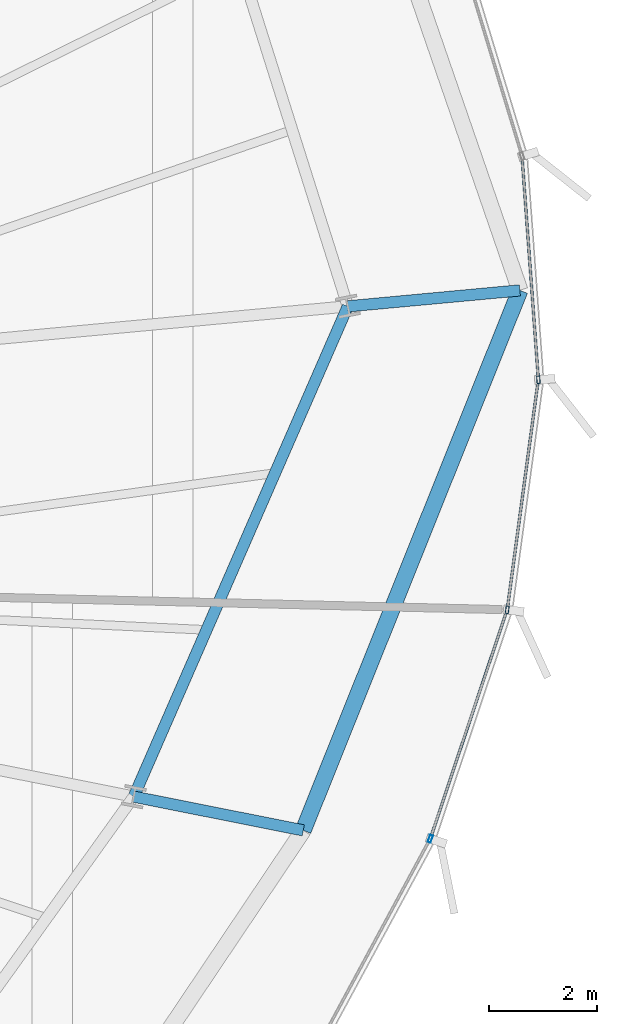
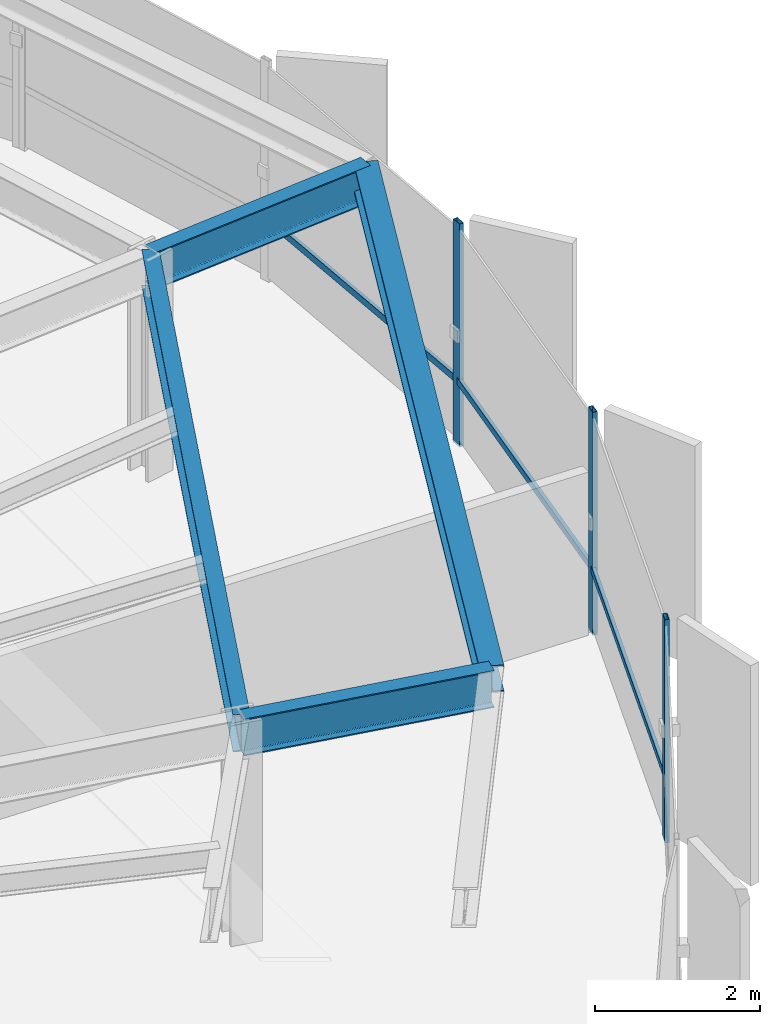
# One storey, part 15 of 34: 6 members, 4 beams, 1 element without a shape of its own.
"""IFC4 building model written with IfcOpenShell, lengths in metres."""

from ifc_helpers import new_model, si_unit, direction, frame, origin, origin_2d, place, context, subcontext, project, spatial, hollow_rectangle, i_section, extrude, source, transform, mapped, material, layer, layer_set, material_profile, profile_set, type_object, element, aggregate, save


model = new_model("IFC4")

# Units and contexts
model_context = context("Model", 3, precision=1e-05, world=origin(), true_north=direction((0.0, 1.0)))
body_context = subcontext(model_context, "Body", "Model", "MODEL_VIEW")
ifc_project = project(units=[si_unit("LENGTHUNIT", "METRE"), si_unit("AREAUNIT", "SQUARE_METRE"), si_unit("VOLUMEUNIT", "CUBIC_METRE"), si_unit("PLANEANGLEUNIT", "RADIAN"), si_unit("MASSUNIT", "GRAM", prefix="KILO"), si_unit("THERMODYNAMICTEMPERATUREUNIT", "KELVIN")], contexts=[model_context])

# Site, building, storey
site_placement = place(None, origin())
site = spatial("IfcSite", under=ifc_project, at=site_placement, CompositionType="ELEMENT")
building_placement = place(site_placement, origin())
building = spatial("IfcBuilding", under=site, at=building_placement, Name="Kethvar Cultural Tower", CompositionType="ELEMENT")
storey_placement = place(building_placement, frame((0.0, 0.0, 128.800048828125)))
storey = spatial("IfcBuildingStorey", under=building, at=storey_placement, Name="L32", CompositionType="ELEMENT", Elevation=128.800048828125)

# Beams
ifc_material_1 = material(Name="Steel S355J2", Category="steel")
ifc_material_profile_1 = material_profile(ifc_material_1, i_section(OverallWidth=0.2099609375, OverallDepth=0.550048828125, WebThickness=0.010986328125, FlangeThickness=0.01708984375, FilletRadius=0.02392578125, at=origin_2d()), Name="Steel S355J2 — IPE550")
ifc_profile_set_1 = profile_set([ifc_material_profile_1], Name="Steel S355J2 — IPE550")
beam_type_1 = type_object("IfcBeamType", Name="BM-IPE550", PredefinedType="BEAM", material=ifc_profile_set_1)
shared_shape_1 = source(origin(), body_context, "Body", "SweptSolid", [
    extrude(i_section(OverallWidth=0.2099609375, OverallDepth=0.550048828125, WebThickness=0.010986328125, FlangeThickness=0.01708984375, FilletRadius=0.02392578125, at=origin_2d()), origin(), (0.0, 0.0, 1.0), 3.199951171875),
])
for number, where, z_axis, x_axis, name in (
    (1, (71.6025390625, 32.7333984375, 3.02294921875), (0.995729641608, 0.092317283453, 0.0), (-0.092317283453, 0.995729641608, 0.0), "L32 Perimeter Cantilever Beam RC-01"),
    (2, (67.638671875, 23.65478515625, 3.02294921875), (0.980785550224, -0.195088965533, 0.0), (0.195088965533, 0.980785550224, 0.0), "L32 Perimeter Cantilever Beam RC-16"),
):
    element("IfcBeam", number, at=place(storey_placement, frame(where, z_axis=z_axis, x_axis=x_axis)), inside=storey, type_object=beam_type_1, Name=name, PredefinedType="BEAM", context=body_context, shape_type="MappedRepresentation", body=[
        mapped(shared_shape_1, transform((0.0, 0.0, 0.0), scale=1.0)),
    ])
shared_shape_2 = source(origin(), body_context, "Body", "SweptSolid", [
    extrude(i_section(OverallWidth=0.2099609375, OverallDepth=0.550048828125, WebThickness=0.010986328125, FlangeThickness=0.01708984375, FilletRadius=0.02392578125, at=origin_2d()), origin(), (0.0, 0.0, 1.0), 9.90625),
])
beam_1_placement = place(storey_placement, frame((67.638671875, 23.65478515625, 3.02294921875), z_axis=(0.400138679026, 0.916454602011, 0.0), x_axis=(-0.916454602011, 0.400138679026, 0.0)))
element("IfcBeam", 3, at=beam_1_placement, inside=storey, type_object=beam_type_1, Name="L32 Column Ring Tie Beam CR-16", PredefinedType="BEAM", context=body_context, shape_type="MappedRepresentation", body=[
    mapped(shared_shape_2, transform((0.0, 0.0, 0.0), scale=1.0)),
])
ifc_material_profile_2 = material_profile(ifc_material_1, i_section(OverallWidth=0.300048828125, OverallDepth=0.39990234375, WebThickness=0.013427734375, FlangeThickness=0.02392578125, FilletRadius=0.027099609375, at=origin_2d()), Name="Steel S355J2 — HEB400")
ifc_profile_set_2 = profile_set([ifc_material_profile_2], Name="Steel S355J2 — HEB400")
beam_type_2 = type_object("IfcBeamType", Name="BM-SP400", PredefinedType="SPANDREL", material=ifc_profile_set_2)
shared_shape_3 = source(origin(), body_context, "Body", "SweptSolid", [
    extrude(i_section(OverallWidth=0.300048828125, OverallDepth=0.39990234375, WebThickness=0.013427734375, FlangeThickness=0.02392578125, FilletRadius=0.027099609375, at=origin_2d()), origin(), (0.0, 0.0, 1.0), 10.773193359375),
])
beam_2_placement = place(storey_placement, frame((70.777099609375, 23.030517578125, 3.097900390625), z_axis=(0.372382905959, 0.928079183771, 0.0), x_axis=(-0.928079183771, 0.372382905959, 0.0)))
element("IfcBeam", 4, at=beam_2_placement, inside=storey, type_object=beam_type_2, Name="L32 Perimeter Spandrel Beam SP-16", PredefinedType="SPANDREL", context=body_context, shape_type="MappedRepresentation", body=[
    mapped(shared_shape_3, transform((0.0, 0.0, 0.0), scale=1.0)),
])

# Curtain wall, members
ifc_material_2 = material(Name="Aluminium 6063-T6", Category="aluminium")
ifc_layer = layer(ifc_material_2, 0.179931640625, Name="Aluminium 6063-T6", Category="aluminium")
ifc_layer_set = layer_set([ifc_layer], Name="Aluminium 6063-T6 (180 mm)")
curtain_wall_type = type_object("IfcCurtainWallType", Name="CW-SYS-04-Z34", PredefinedType="NOTDEFINED", material=ifc_layer_set)
curtain_wall_placement = place(storey_placement, origin())
curtain_wall = element("IfcCurtainWall", 5, at=curtain_wall_placement, inside=storey, type_object=curtain_wall_type, Name="L32 Curtain Wall Run 06", PredefinedType="NOTDEFINED")
ifc_material_profile_3 = material_profile(ifc_material_2, hollow_rectangle(XDim=0.06005859375, YDim=0.139892578125, WallThickness=0.0048828125, at=origin_2d()), Name="Aluminium 6063-T6 — RHS140x60x5")
ifc_profile_set_3 = profile_set([ifc_material_profile_3], Name="Aluminium 6063-T6 — RHS140x60x5")
member_type_1 = type_object("IfcMemberType", Name="CW-SYS-04-Z34-MUL", PredefinedType="MULLION", material=ifc_profile_set_3)
shared_shape_4 = source(origin(), body_context, "Body", "SweptSolid", [
    extrude(hollow_rectangle(XDim=0.06005859375, YDim=0.139892578125, WallThickness=0.0048828125, at=origin_2d()), origin(), (0.0, 0.0, 1.0), 3.300048828125),
])
member_1_placement = place(storey_placement, frame((73.130126953125, 22.875, 0.0), z_axis=(0.0, 0.0, 1.0), x_axis=(-0.948140743561, 0.317850798961, 0.0)))
member_1 = element("IfcMember", 6, at=member_1_placement, type_object=member_type_1, Name="CW-L32-R06 Mullion 3", PredefinedType="MULLION", context=body_context, shape_type="MappedRepresentation", body=[
    mapped(shared_shape_4, transform((0.0, 0.0, 0.0), scale=1.0)),
])
member_2_placement = place(storey_placement, frame((74.553955078125, 27.11572265625, 0.0), z_axis=(0.0, 0.0, 1.0), x_axis=(-0.991006569622, 0.133813224182, 0.0)))
member_2 = element("IfcMember", 7, at=member_2_placement, type_object=member_type_1, Name="CW-L32-R06 Mullion 4", PredefinedType="MULLION", context=body_context, shape_type="MappedRepresentation", body=[
    mapped(shared_shape_4, transform((0.0, 0.0, 0.0), scale=1.0)),
])
member_3_placement = place(storey_placement, frame((75.131103515625, 31.37353515625, 0.0), z_axis=(0.0, 0.0, 1.0), x_axis=(-0.997329794323, -0.073029318467, 0.0)))
member_3 = element("IfcMember", 8, at=member_3_placement, type_object=member_type_1, Name="CW-L32-R06 Mullion 5", PredefinedType="MULLION", context=body_context, shape_type="MappedRepresentation", body=[
    mapped(shared_shape_4, transform((0.0, 0.0, 0.0), scale=1.0)),
])
ifc_material_profile_4 = material_profile(ifc_material_2, hollow_rectangle(XDim=0.050048828125, YDim=0.10009765625, WallThickness=0.00390625, at=origin_2d()), Name="Aluminium 6063-T6 — RHS100x50x4")
ifc_profile_set_4 = profile_set([ifc_material_profile_4], Name="Aluminium 6063-T6 — RHS100x50x4")
member_type_2 = type_object("IfcMemberType", Name="CW-SYS-04-Z34-TRN", PredefinedType="USERDEFINED", material=ifc_profile_set_4)
shared_shape_5 = source(origin(), body_context, "Body", "SweptSolid", [
    extrude(hollow_rectangle(XDim=0.050048828125, YDim=0.10009765625, WallThickness=0.00390625, at=origin_2d()), origin(), (0.0, 0.0, 1.0), 4.233154296875),
])
member_4_placement = place(storey_placement, frame((74.559814453125, 27.158447265625, 0.949951171875), z_axis=(0.133803085462, 0.991007938576, 0.0), x_axis=(-0.991007938576, 0.133803085462, 0.0)))
member_4 = element("IfcMember", 9, at=member_4_placement, type_object=member_type_2, Name="CW-L32-R06 Transom 4", ObjectType="TRANSOM", PredefinedType="USERDEFINED", context=body_context, shape_type="MappedRepresentation", body=[
    mapped(shared_shape_5, transform((0.0, 0.0, 0.0), scale=1.0)),
])
shared_shape_6 = source(origin(), body_context, "Body", "SweptSolid", [
    extrude(hollow_rectangle(XDim=0.050048828125, YDim=0.10009765625, WallThickness=0.00390625, at=origin_2d()), origin(), (0.0, 0.0, 1.0), 4.407470703125),
])
member_5_placement = place(storey_placement, frame((73.143798828125, 22.916015625, 0.949951171875), z_axis=(0.317889011222, 0.948127932583, 0.0), x_axis=(-0.948127932583, 0.317889011222, 0.0)))
member_5 = element("IfcMember", 10, at=member_5_placement, type_object=member_type_2, Name="CW-L32-R06 Transom 3", ObjectType="TRANSOM", PredefinedType="USERDEFINED", context=body_context, shape_type="MappedRepresentation", body=[
    mapped(shared_shape_6, transform((0.0, 0.0, 0.0), scale=1.0)),
])
shared_shape_7 = source(origin(), body_context, "Body", "SweptSolid", [
    extrude(hollow_rectangle(XDim=0.050048828125, YDim=0.10009765625, WallThickness=0.00390625, at=origin_2d()), origin(), (0.0, 0.0, 1.0), 4.08837890625),
])
member_6_placement = place(storey_placement, frame((75.1279296875, 31.416748046875, 0.949951171875), z_axis=(-0.073033588173, 0.997329481665, 0.0), x_axis=(-0.997329481665, -0.073033588173, 0.0)))
member_6 = element("IfcMember", 11, at=member_6_placement, type_object=member_type_2, Name="CW-L32-R06 Transom 5", ObjectType="TRANSOM", PredefinedType="USERDEFINED", context=body_context, shape_type="MappedRepresentation", body=[
    mapped(shared_shape_7, transform((0.0, 0.0, 0.0), scale=1.0)),
])
aggregate(curtain_wall, [member_1, member_2, member_3, member_5, member_4, member_6])

save(model, "model.ifc")
